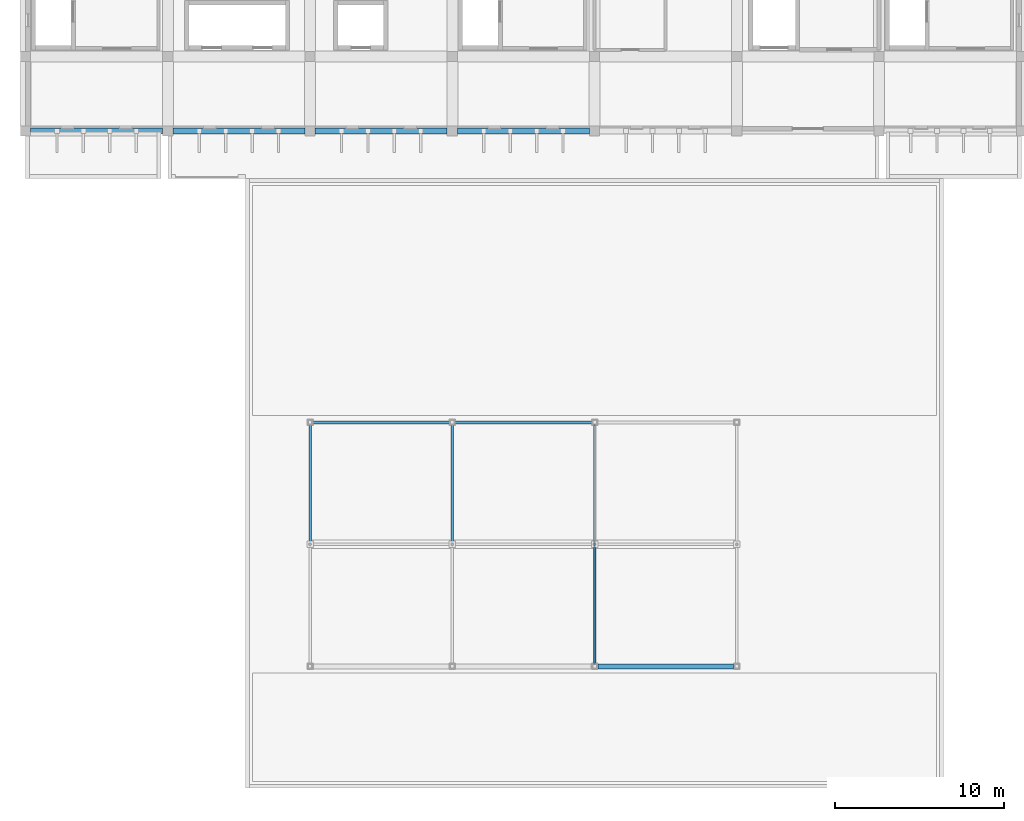
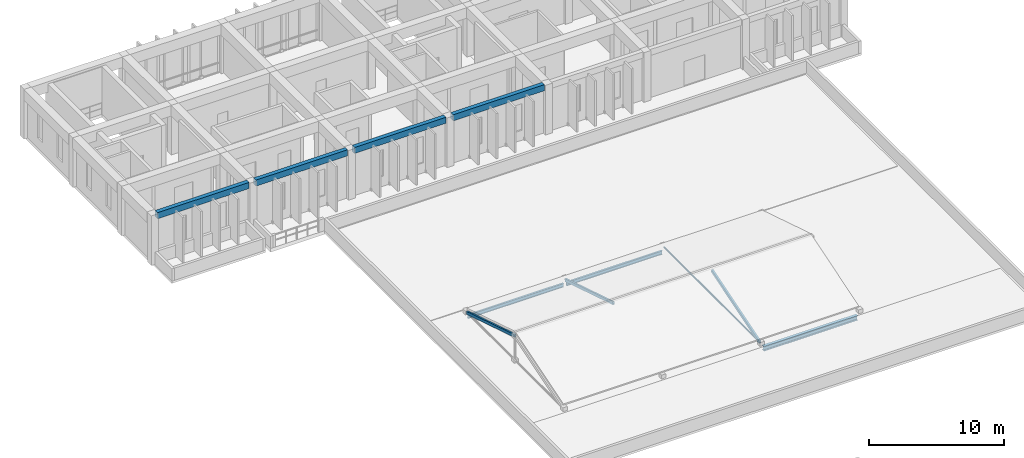
# One storey, part 5 of 16: 7 beams, 4 members.
"""IFC4 building model written with IfcOpenShell, lengths in metres."""

from ifc_helpers import new_model, si_unit, direction, frame, origin, origin_2d, place, context, subcontext, project, spatial, rectangle, hollow_rectangle, hollow_circle, i_section, extrude, material, material_profile, profile_set, type_object, element, save


model = new_model("IFC4")

# Units and contexts
model_context = context("Model", 3, precision=1e-05, world=origin(), true_north=direction((0.0, 1.0)))
body_context = subcontext(model_context, "Body", "Model", "MODEL_VIEW")
ifc_project = project(units=[si_unit("LENGTHUNIT", "METRE"), si_unit("AREAUNIT", "SQUARE_METRE"), si_unit("VOLUMEUNIT", "CUBIC_METRE"), si_unit("PLANEANGLEUNIT", "RADIAN"), si_unit("MASSUNIT", "GRAM", prefix="KILO")], contexts=[model_context])

# Site, building, storey
site_placement = place(None, origin())
site = spatial("IfcSite", under=ifc_project, at=site_placement, CompositionType="ELEMENT")
building_placement = place(site_placement, origin())
building = spatial("IfcBuilding", under=site, at=building_placement, Name="Kenerak Square Central Library", CompositionType="ELEMENT")
storey_placement = place(building_placement, frame((0.0, 0.0, 27.840087890625)))
storey = spatial("IfcBuildingStorey", under=building, at=storey_placement, Name="L06", CompositionType="ELEMENT", Elevation=27.840087890625)

# Beams
ifc_material_1 = material(Name="Steel S355", Category="steel")
ifc_material_profile_1 = material_profile(ifc_material_1, i_section(OverallWidth=0.300048828125, OverallDepth=0.39990234375, WebThickness=0.013427734375, FlangeThickness=0.02392578125, FilletRadius=0.027099609375, at=origin_2d()), Name="HEB 400")
ifc_profile_set_1 = profile_set([ifc_material_profile_1], Name="Steel S355")
beam_type_1 = type_object("IfcBeamType", Name="Atrium Edge Steel Beam SB-05 HEB 400 S355", PredefinedType="BEAM", material=ifc_profile_set_1)
beam_1_placement = place(storey_placement, frame((92.199951171875, 60.0, -0.400146484375), z_axis=(1.0, 0.0, 0.0), x_axis=(0.0, 1.0, 0.0)))
element("IfcBeam", 1, at=beam_1_placement, inside=storey, type_object=beam_type_1, Name="Atrium Lantern Edge Beam SB-05 03", PredefinedType="BEAM", context=body_context, shape_type="SweptSolid", body=[
    extrude(i_section(OverallWidth=0.300048828125, OverallDepth=0.39990234375, WebThickness=0.013427734375, FlangeThickness=0.02392578125, FilletRadius=0.027099609375, at=origin_2d()), origin(), (0.0, 0.0, 1.0), 8.0),
])
ifc_material_profile_2 = material_profile(ifc_material_1, i_section(OverallWidth=0.159912109375, OverallDepth=0.330078125, WebThickness=0.007568359375, FlangeThickness=0.011474609375, FilletRadius=0.01806640625, at=origin_2d()), Name="IPE 330")
ifc_profile_set_2 = profile_set([ifc_material_profile_2], Name="Steel S355")
beam_type_2 = type_object("IfcBeamType", Name="Gallery Edge Steel Beam SB-10 IPE 330 S355", PredefinedType="BEAM", material=ifc_profile_set_2)
for number, where, z_axis, x_axis, name in (
    (2, (75.320068359375, 74.39990234375, -0.364990234375), (1.0, 0.0, 0.0), (0.0, 1.0, 0.0), "Lantern North Edge Beam SB-10 01"),
    (3, (83.719970703125, 74.39990234375, -0.364990234375), (1.0, 0.0, 0.0), (0.0, 1.0, 0.0), "Lantern North Edge Beam SB-10 02"),
):
    element("IfcBeam", number, at=place(storey_placement, frame(where, z_axis=z_axis, x_axis=x_axis)), inside=storey, type_object=beam_type_2, Name=name, PredefinedType="BEAM", context=body_context, shape_type="SweptSolid", body=[
        extrude(i_section(OverallWidth=0.159912109375, OverallDepth=0.330078125, WebThickness=0.007568359375, FlangeThickness=0.011474609375, FilletRadius=0.01806640625, at=origin_2d()), origin(), (0.0, 0.0, 1.0), 8.159912109375),
    ])

# Members
ifc_material_profile_3 = material_profile(ifc_material_1, hollow_rectangle(XDim=0.14990234375, YDim=0.25, WallThickness=0.010009765625, at=origin_2d()), Name="RHS 250x150x10.0")
ifc_profile_set_3 = profile_set([ifc_material_profile_3], Name="Steel S355")
member_type_1 = type_object("IfcMemberType", Name="Lantern Roof Rafter GM-05 RHS 250x150x10 S355", PredefinedType="RAFTER", material=ifc_profile_set_3)
for number, where, z_axis, x_axis, name in (
    (4, (75.199951171875, 74.280029296875, 0.10986328125), (0.0, -0.954961540405, 0.2967296014), (1.0, 0.0, 0.0), "Atrium Lantern Roof Rafter 0272"),
    (5, (83.60009765625, 74.280029296875, 0.10986328125), (0.0, -0.954961540405, 0.2967296014), (1.0, 0.0, 0.0), "Atrium Lantern Roof Rafter 0276"),
):
    element("IfcMember", number, at=place(storey_placement, frame(where, z_axis=z_axis, x_axis=x_axis)), inside=storey, type_object=member_type_1, Name=name, PredefinedType="RAFTER", context=body_context, shape_type="SweptSolid", body=[
        extrude(hollow_rectangle(XDim=0.14990234375, YDim=0.25, WallThickness=0.010009765625, at=origin_2d()), origin(), (0.0, 0.0, 1.0), 7.4140625),
    ])
member_1_placement = place(storey_placement, frame((92.0, 60.1201171875, 0.10986328125), z_axis=(0.0, 0.954958640858, 0.296738932818), x_axis=(-1.0, 0.0, 0.0)))
element("IfcMember", 6, at=member_1_placement, inside=storey, type_object=member_type_1, Name="Atrium Lantern Roof Rafter 0279", PredefinedType="RAFTER", context=body_context, shape_type="SweptSolid", body=[
    extrude(hollow_rectangle(XDim=0.14990234375, YDim=0.25, WallThickness=0.010009765625, at=origin_2d()), origin(), (0.0, 0.0, 1.0), 7.413818359375),
])
ifc_material_profile_4 = material_profile(ifc_material_1, hollow_circle(Radius=0.06982421875, WallThickness=0.00634765625, at=origin_2d()), Name="CHS 139.7x6.3")
ifc_profile_set_4 = profile_set([ifc_material_profile_4], Name="Steel S355")
member_type_2 = type_object("IfcMemberType", Name="Lantern Tie Strut LT-01 CHS 139.7x6.3 S355", PredefinedType="STRUT", material=ifc_profile_set_4)
member_2_placement = place(storey_placement, frame((92.0, 60.1201171875, 0.10986328125), z_axis=(0.0, 1.0, 0.0), x_axis=(-1.0, 0.0, 0.0)))
element("IfcMember", 7, at=member_2_placement, inside=storey, type_object=member_type_2, Name="Atrium Lantern Tie Strut 0281", PredefinedType="STRUT", context=body_context, shape_type="SweptSolid", body=[
    extrude(hollow_circle(Radius=0.06982421875, WallThickness=0.00634765625, at=origin_2d()), origin(), (0.0, 0.0, 1.0), 14.159912109375),
])

# Beams
ifc_material_2 = material(Name="Concrete C40/50", Category="concrete")
ifc_material_profile_5 = material_profile(ifc_material_2, rectangle(XDim=0.35009765625, YDim=0.550048828125, at=origin_2d()), Name="RC 350x550")
ifc_profile_set_5 = profile_set([ifc_material_profile_5], Name="Concrete C40/50")
beam_type_3 = type_object("IfcBeamType", Name="Roof Edge Beam B-07 RC 350x550 C40/50", PredefinedType="BEAM", material=ifc_profile_set_5)
beam_2_placement = place(storey_placement, frame((58.699951171875, 91.60009765625, 4.204833984375), z_axis=(1.0, 0.0, 0.0), x_axis=(0.0, 1.0, 0.0)))
element("IfcBeam", 8, at=beam_2_placement, inside=storey, type_object=beam_type_3, Name="Roof Edge Beam B-07 01", PredefinedType="BEAM", context=body_context, shape_type="SweptSolid", body=[
    extrude(rectangle(XDim=0.35009765625, YDim=0.550048828125, at=origin_2d()), origin(), (0.0, 0.0, 1.0), 7.800048828125),
])
beam_3_placement = place(storey_placement, frame((67.10009765625, 91.60009765625, 4.204833984375), z_axis=(1.0, 0.0, 0.0), x_axis=(0.0, 1.0, 0.0)))
element("IfcBeam", 9, at=beam_3_placement, inside=storey, type_object=beam_type_3, Name="Roof Edge Beam B-07 02", PredefinedType="BEAM", context=body_context, shape_type="SweptSolid", body=[
    extrude(rectangle(XDim=0.35009765625, YDim=0.550048828125, at=origin_2d()), origin(), (0.0, 0.0, 1.0), 7.7998046875),
])
for number, where, z_axis, x_axis, name in (
    (10, (75.5, 91.60009765625, 4.204833984375), (1.0, 0.0, 0.0), (0.0, 1.0, 0.0), "Roof Edge Beam B-07 03"),
    (11, (83.89990234375, 91.60009765625, 4.204833984375), (1.0, 0.0, 0.0), (0.0, 1.0, 0.0), "Roof Edge Beam B-07 04"),
):
    element("IfcBeam", number, at=place(storey_placement, frame(where, z_axis=z_axis, x_axis=x_axis)), inside=storey, type_object=beam_type_3, Name=name, PredefinedType="BEAM", context=body_context, shape_type="SweptSolid", body=[
        extrude(rectangle(XDim=0.35009765625, YDim=0.550048828125, at=origin_2d()), origin(), (0.0, 0.0, 1.0), 7.800048828125),
    ])

save(model, "model.ifc")
